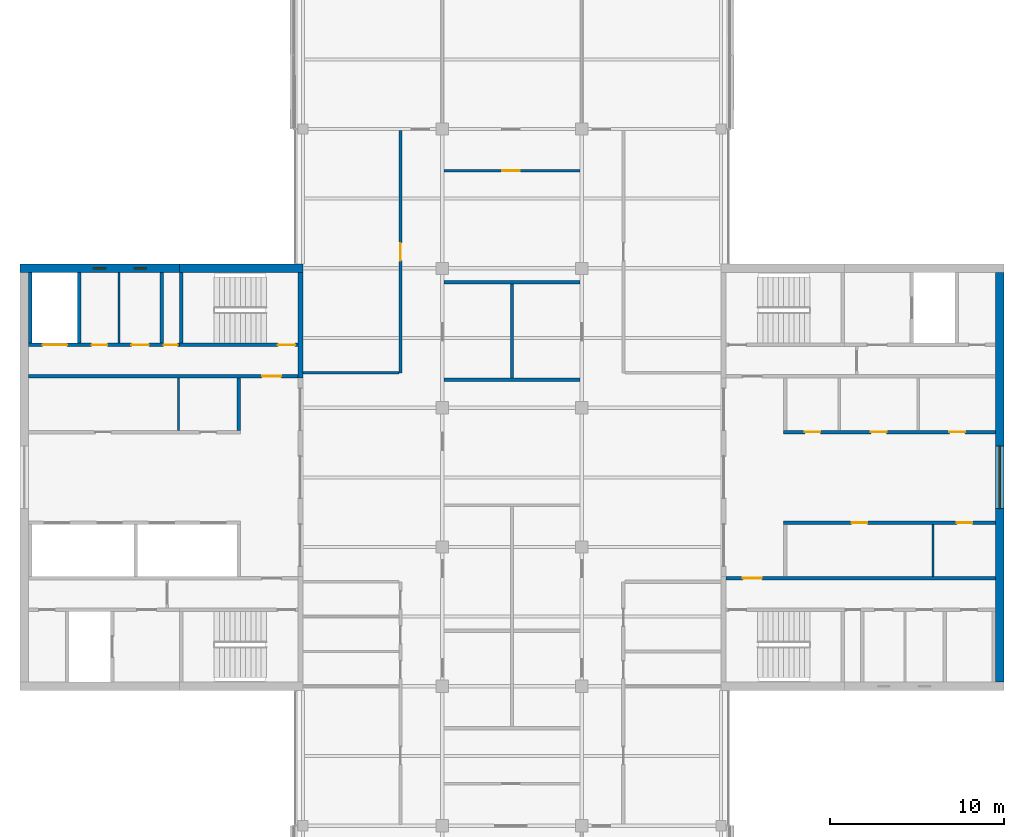
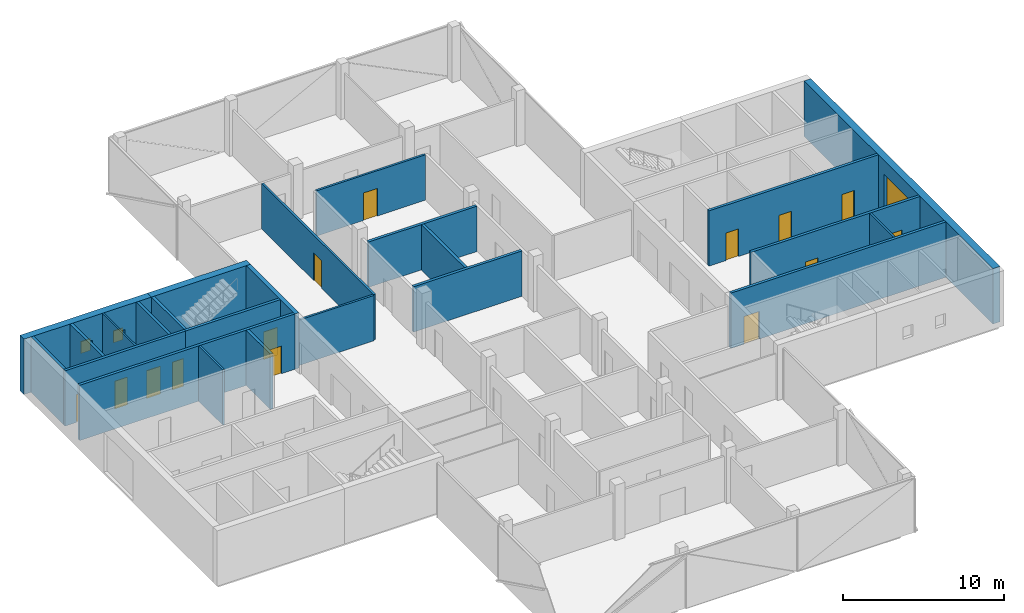
# One storey, part 11 of 16: 24 walls, 14 doors, 3 windows, 17 openings.
"""IFC4 building model written with IfcOpenShell, lengths in metres."""

import ifcopenshell
import ifcopenshell.guid

model = None  # the IFC model being written
_history = None  # IfcOwnerHistory: only IFC2X3 demands one
_inside = {}  # id of a spatial element -> (the spatial element, [elements in it])
_under = {}  # id of a project, library or spatial element -> (it, [spatial elements below it])
_declared = {}  # id of a project -> (the project, [libraries it declares])
_typed = {}  # id of a type object -> (the type object, [elements of that type])
_made_of = {}  # id of a material, layer set ... -> (it, [elements and type objects made of it])


def new_model(schema):
    """Start an empty IFC model of exactly this schema.

    Asked for "IFC4X3", IfcOpenShell would pick the latest addendum, in which some entities
    have other attributes; the version numbers below select the first issue.
    IFC2X3 requires an IfcOwnerHistory on every rooted entity: one is made here for all.
    """
    global model, _history
    if schema == "IFC4X3":
        model = ifcopenshell.file(schema_version=(4, 3, 0, 0))
    else:
        model = ifcopenshell.file(schema=schema)
    _inside.clear()
    _under.clear()
    _declared.clear()
    _typed.clear()
    _made_of.clear()
    _history = None
    if model.schema == "IFC2X3":
        org = make("IfcOrganization", Name="unknown")
        user = make(
            "IfcPersonAndOrganization",
            ThePerson=make("IfcPerson", FamilyName="unknown"),
            TheOrganization=org,
        )
        app = make(
            "IfcApplication",
            ApplicationDeveloper=org,
            Version="unknown",
            ApplicationFullName="unknown",
            ApplicationIdentifier="unknown",
        )
        _history = make(
            "IfcOwnerHistory",
            OwningUser=user,
            OwningApplication=app,
            ChangeAction="ADDED",
            CreationDate=0,
        )
    return model


def make(cls, **values):
    """One entity of the class cls with the attributes given. An attribute that is None is left unset."""
    return model.create_entity(
        cls, **{name: value for name, value in values.items() if value is not None}
    )


def rooted(cls, **values):
    """An entity with a GlobalId (a new one), such as an element, a storey or a relation."""
    return make(cls, GlobalId=ifcopenshell.guid.new(), OwnerHistory=_history, **values)


def si_unit(unit_type, name, prefix=None):
    """IfcSIUnit, for example si_unit("LENGTHUNIT", "METRE", prefix="MILLI")."""
    return make("IfcSIUnit", UnitType=unit_type, Prefix=prefix, Name=name)


def assignment(units):
    """IfcUnitAssignment: the units of a project."""
    return None if units is None else make("IfcUnitAssignment", Units=units)


def point(xyz):
    """IfcCartesianPoint."""
    return None if xyz is None else make("IfcCartesianPoint", Coordinates=xyz)


def direction(xyz):
    """IfcDirection."""
    return None if xyz is None else make("IfcDirection", DirectionRatios=xyz)


def frame(location, z_axis=None, x_axis=None):
    """IfcAxis2Placement3D, a coordinate frame: its origin and axes. An axis left out is left unset."""
    return make(
        "IfcAxis2Placement3D",
        Location=point(location),
        Axis=direction(z_axis),
        RefDirection=direction(x_axis),
    )


def frame_2d(location, x_axis=None):
    """IfcAxis2Placement2D, a coordinate frame in the plane: its origin and x axis."""
    return make(
        "IfcAxis2Placement2D", Location=point(location), RefDirection=direction(x_axis)
    )


def origin():
    """The frame at (0, 0, 0) with its axes left unset."""
    return frame((0.0, 0.0, 0.0))


def place(relative_to, where):
    """IfcLocalPlacement: puts the frame where relative to a parent placement (None: the world)."""
    return make(
        "IfcLocalPlacement", PlacementRelTo=relative_to, RelativePlacement=where
    )


def context(
    kind, dimensions, precision=None, world=None, true_north=None, identifier=None
):
    """IfcGeometricRepresentationContext, for example the 3D "Model" context."""
    return make(
        "IfcGeometricRepresentationContext",
        ContextIdentifier=identifier,
        ContextType=kind,
        CoordinateSpaceDimension=dimensions,
        Precision=precision,
        WorldCoordinateSystem=world,
        TrueNorth=true_north,
    )


def subcontext(parent, identifier, kind, view, scale=None):
    """IfcGeometricRepresentationSubContext, for example "Body" below "Model"."""
    return make(
        "IfcGeometricRepresentationSubContext",
        ContextIdentifier=identifier,
        ContextType=kind,
        ParentContext=parent,
        TargetScale=scale,
        TargetView=view,
    )


def project(units=None, contexts=None):
    """IfcProject with its units and contexts."""
    return rooted(
        "IfcProject",
        Name="project",
        RepresentationContexts=contexts,
        UnitsInContext=assignment(units),
    )


def spatial(cls, under=None, at=None, **own):
    """A site, building, storey or space (cls), placed at a placement, below another one or the project."""
    s = rooted(cls, ObjectPlacement=at, **own)
    if under is not None:
        _under.setdefault(under.id(), (under, []))[1].append(s)
    return s


def profile(cls, at=None, kind="AREA", **sizes):
    """A parametric profile (cls). Its sizes go by their IFC names, for example OverallWidth=200.0."""
    return make(cls, ProfileType=kind, Position=at, **sizes)


def rectangle(**sizes):
    """IfcRectangleProfileDef."""
    return profile("IfcRectangleProfileDef", **sizes)


def extrude(swept, where, along, depth):
    """IfcExtrudedAreaSolid: the profile swept, set in the frame where, extruded along a direction by depth."""
    return make(
        "IfcExtrudedAreaSolid",
        SweptArea=swept,
        Position=where,
        ExtrudedDirection=direction(along),
        Depth=depth,
    )


def shape(context_of_items, identifier, shape_type, items):
    """IfcShapeRepresentation: the items that make up one representation, for example the "Body"."""
    return make(
        "IfcShapeRepresentation",
        ContextOfItems=context_of_items,
        RepresentationIdentifier=identifier,
        RepresentationType=shape_type,
        Items=items,
    )


def material(Name=None, Category=None):
    """IfcMaterial."""
    return make("IfcMaterial", Name=Name, Category=Category)


def layer(
    of_material, thickness, ventilated=None, Name=None, Category=None, Priority=None
):
    """IfcMaterialLayer: one layer of a wall or slab, of a material (None: an air gap)."""
    return make(
        "IfcMaterialLayer",
        Material=of_material,
        LayerThickness=thickness,
        IsVentilated=ventilated,
        Name=Name,
        Category=Category,
        Priority=Priority,
    )


def layer_set(layers, Name=None):
    """IfcMaterialLayerSet."""
    return make("IfcMaterialLayerSet", MaterialLayers=layers, LayerSetName=Name)


def constituent(of_material, Name=None, Category=None, fraction=None):
    """IfcMaterialConstituent: one of the materials an element consists of."""
    return make(
        "IfcMaterialConstituent",
        Name=Name,
        Material=of_material,
        Fraction=fraction,
        Category=Category,
    )


def constituent_set(constituents=None, Name=None):
    """IfcMaterialConstituentSet."""
    return make(
        "IfcMaterialConstituentSet", Name=Name, MaterialConstituents=constituents
    )


def made_of(thing, what):
    """Note that an element or type object is made of a material, layer set ...; save() writes the relation."""
    if what is not None:
        _made_of.setdefault(what.id(), (what, []))[1].append(thing)
    return thing


def type_object(cls, material=None, **own):
    """A type object (cls), such as IfcWallType, which elements share."""
    return made_of(rooted(cls, **own), material)


def element(
    cls,
    number,
    at=None,
    inside=None,
    cuts=None,
    type_object=None,
    material=None,
    context=None,
    identifier="Body",
    shape_type=None,
    held_by="IfcProductDefinitionShape",
    body=None,
    shapes=None,
    **own,
):
    """One element of the class cls, such as IfcWall. Its Tag is "e" and its number.

    at: its placement. inside: the storey or other place that contains it. cuts: it is an
    opening in that element (IfcRelVoidsElement). A single representation is given by context,
    identifier, shape_type and body (its items); several are given by shapes. held_by: the class
    of the entity that holds the representations. save() writes the other relations.
    """
    e = rooted(cls, Tag="e%d" % number, ObjectPlacement=at, **own)
    if body is not None:
        shapes = [shape(context, identifier, shape_type, body)]
    if shapes is not None:
        e.Representation = make(held_by, Representations=shapes)
    if inside is not None:
        _inside.setdefault(inside.id(), (inside, []))[1].append(e)
    if cuts is not None:
        rooted(
            "IfcRelVoidsElement", RelatingBuildingElement=cuts, RelatedOpeningElement=e
        )
    if type_object is not None:
        _typed.setdefault(type_object.id(), (type_object, []))[1].append(e)
    return made_of(e, material)


def fill(opening, filler):
    """IfcRelFillsElement: the door or window that sits in an opening."""
    return rooted(
        "IfcRelFillsElement",
        RelatingOpeningElement=opening,
        RelatedBuildingElement=filler,
    )


def aggregate(whole, parts):
    """IfcRelAggregates: a whole, such as a stair, and the parts it consists of."""
    return rooted("IfcRelAggregates", RelatingObject=whole, RelatedObjects=parts)


def save(model, path):
    """Write the relations noted so far, then the file.

    IfcRelAggregates (storeys below a building ...), IfcRelContainedInSpatialStructure (elements
    in a storey), IfcRelDefinesByType, IfcRelAssociatesMaterial and IfcRelDeclares: one each for
    every whole, place, type object, material and project.
    """
    for whole, parts in _under.values():
        aggregate(whole, parts)
    for where, things in _inside.values():
        rooted(
            "IfcRelContainedInSpatialStructure",
            RelatedElements=things,
            RelatingStructure=where,
        )
    for kind, things in _typed.values():
        rooted("IfcRelDefinesByType", RelatedObjects=things, RelatingType=kind)
    for what, things in _made_of.values():
        rooted("IfcRelAssociatesMaterial", RelatedObjects=things, RelatingMaterial=what)
    for by, libraries in _declared.values():
        rooted("IfcRelDeclares", RelatingContext=by, RelatedDefinitions=libraries)
    model.write(path)


model = new_model("IFC4")

# Units and contexts
model_context = context("Model", 3, precision=1e-05, world=origin(), true_north=direction((0.0, 1.0)))
body_context = subcontext(model_context, "Body", "Model", "MODEL_VIEW")
ifc_project = project(units=[si_unit("LENGTHUNIT", "METRE"), si_unit("AREAUNIT", "SQUARE_METRE"), si_unit("VOLUMEUNIT", "CUBIC_METRE"), si_unit("PLANEANGLEUNIT", "RADIAN"), si_unit("MASSUNIT", "GRAM", prefix="KILO")], contexts=[model_context])

# Site, building, storey
site_placement = place(None, origin())
site = spatial("IfcSite", under=ifc_project, at=site_placement, CompositionType="ELEMENT")
building_placement = place(site_placement, origin())
building = spatial("IfcBuilding", under=site, at=building_placement, Name="Crosswind Convention Tower", CompositionType="ELEMENT")
storey_placement = place(building_placement, frame((0.0, 0.0, 282.89990234375)))
storey = spatial("IfcBuildingStorey", under=building, at=storey_placement, Name="L61", CompositionType="ELEMENT", Elevation=282.89990234375)

# Walls
ifc_material_1 = material(Name="Concrete blockwork", Category="masonry")
ifc_layer_1 = layer(ifc_material_1, 0.199951171875)
ifc_layer_set_1 = layer_set([ifc_layer_1], Name="Blockwork partition wall 200")
wall_type_1 = type_object("IfcWallType", Name="Blockwork partition wall 200", PredefinedType="PARTITIONING", material=ifc_layer_set_1)
wall_1_placement = place(storey_placement, frame((104.89990234375, 111.75, 0.0), z_axis=(0.0, 0.0, 1.0), x_axis=(0.0, -1.0, 0.0)))
element("IfcWall", 1, at=wall_1_placement, inside=storey, type_object=wall_type_1, Name="Wall MRSE W L61", PredefinedType="PARTITIONING", context=body_context, shape_type="SweptSolid", body=[
    extrude(rectangle(XDim=4.050048828125, YDim=0.199951171875, at=frame_2d((2.02490234375, 0.0))), origin(), (0.0, 0.0, 1.0), 4.2001953125),
])
ifc_layer_2 = layer(ifc_material_1, 0.199951171875)
ifc_layer_set_2 = layer_set([ifc_layer_2], Name="COMPARTMENT WALL 200 BLOCKWORK")
wall_type_2 = type_object("IfcWallType", Name="COMPARTMENT WALL 200 BLOCKWORK", PredefinedType="SOLIDWALL", material=ifc_layer_set_2)
wall_2_placement = place(storey_placement, frame((125.0, 105.699951171875, 0.0), z_axis=(0.0, 0.0, 1.0), x_axis=(0.0, 1.0, 0.0)))
element("IfcWall", 2, at=wall_2_placement, inside=storey, type_object=wall_type_2, Name="Compartment wall WT42", PredefinedType="SOLIDWALL", context=body_context, shape_type="SweptSolid", body=[
    extrude(rectangle(XDim=5.400146484375, YDim=0.199951171875, at=frame_2d((2.7001953125, 0.0))), origin(), (0.0, 0.0, 1.0), 3.44287109375),
])
for number, where, z_axis, x_axis, name in (
    (3, (121.10009765625, 105.60009765625, 0.0), (0.0, 0.0, 1.0), (1.0, 0.0, 0.0), "Compartment wall WT42"),
    (4, (121.10009765625, 111.199951171875, 0.0), (0.0, 0.0, 1.0), (1.0, 0.0, 0.0), "Compartment wall WT42"),
):
    element("IfcWall", number, at=place(storey_placement, frame(where, z_axis=z_axis, x_axis=x_axis)), inside=storey, type_object=wall_type_2, Name=name, PredefinedType="SOLIDWALL", context=body_context, shape_type="SweptSolid", body=[
        extrude(rectangle(XDim=7.7998046875, YDim=0.199951171875, at=frame_2d((3.89990234375, 0.0))), origin(), (0.0, 0.0, 1.0), 3.44287109375),
    ])
ifc_material_2 = material(Name="Concrete C50/60", Category="concrete")
ifc_layer_3 = layer(ifc_material_2, 0.300048828125)
ifc_layer_set_3 = layer_set([ifc_layer_3], Name="Concrete C50/60")
wall_type_3 = type_object("IfcWallType", Name="Concrete inner core wall 300", PredefinedType="SHEAR", material=ifc_layer_set_3)
wall_3_placement = place(storey_placement, frame((112.85009765625, 111.75, 0.0), z_axis=(0.0, 0.0, 1.0), x_axis=(0.0, -1.0, 0.0)))
element("IfcWall", 5, at=wall_3_placement, inside=storey, type_object=wall_type_3, Name="Wall EM W L61", PredefinedType="SHEAR", context=body_context, shape_type="SweptSolid", body=[
    extrude(rectangle(XDim=6.050048828125, YDim=0.300048828125, at=frame_2d((3.02490234375, 0.0))), origin(), (0.0, 0.0, 1.0), 4.2001953125),
])

# Wall, openings, doors
ifc_layer_4 = layer(ifc_material_2, 0.199951171875)
ifc_layer_set_4 = layer_set([ifc_layer_4], Name="Concrete C50/60")
wall_type_4 = type_object("IfcWallType", Name="Concrete shaft and stair wall 200", PredefinedType="SHEAR", material=ifc_layer_set_4)
wall_4_placement = place(storey_placement, frame((140.60009765625, 102.60009765625, 0.0), z_axis=(0.0, 0.0, 1.0), x_axis=(1.0, 0.0, 0.0)))
wall_4 = element("IfcWall", 6, at=wall_4_placement, inside=storey, type_object=wall_type_4, Name="Wall RPFRONT E L61", PredefinedType="SHEAR", context=body_context, shape_type="SweptSolid", body=[
    extrude(rectangle(XDim=12.14990234375, YDim=0.199951171875, at=frame_2d((6.074951171875, 0.0))), origin(), (0.0, 0.0, 1.0), 4.2001953125),
])
opening_1_placement = place(wall_4_placement, frame((1.21240234375, 0.0, 0.0)))
opening_1 = element("IfcOpeningElement", 7, at=opening_1_placement, cuts=wall_4, Name="Opening D106", PredefinedType="OPENING", context=body_context, shape_type="SweptSolid", body=[
    extrude(rectangle(XDim=0.89990234375, YDim=2.10009765625, at=frame_2d((0.449951171875, 1.050048828125))), frame((0.0, 0.10986328125, 0.0), z_axis=(0.0, -1.0, 0.0), x_axis=(1.0, 0.0, 0.0)), (0.0, 0.0, 1.0), 0.219970703125),
])
opening_2_placement = place(wall_4_placement, frame((5.008056640625, 0.0, 0.0)))
opening_2 = element("IfcOpeningElement", 8, at=opening_2_placement, cuts=wall_4, Name="Opening D106", PredefinedType="OPENING", context=body_context, shape_type="SweptSolid", body=[
    extrude(rectangle(XDim=0.89990234375, YDim=2.10009765625, at=frame_2d((0.449951171875, 1.050048828125))), frame((0.0, 0.10986328125, 0.0), z_axis=(0.0, -1.0, 0.0), x_axis=(1.0, 0.0, 0.0)), (0.0, 0.0, 1.0), 0.219970703125),
])
opening_3_placement = place(wall_4_placement, frame((9.5205078125, 0.0, 0.0)))
opening_3 = element("IfcOpeningElement", 9, at=opening_3_placement, cuts=wall_4, Name="Opening D106", PredefinedType="OPENING", context=body_context, shape_type="SweptSolid", body=[
    extrude(rectangle(XDim=0.89990234375, YDim=2.10009765625, at=frame_2d((0.449951171875, 1.050048828125))), frame((0.0, 0.10986328125, 0.0), z_axis=(0.0, -1.0, 0.0), x_axis=(1.0, 0.0, 0.0)), (0.0, 0.0, 1.0), 0.219970703125),
])
ifc_material_3 = material(Name="Timber door", Category="wood")
door_type_1 = type_object("IfcDoorType", Name="Single leaf door 900x2100", OperationType="NOTDEFINED", PredefinedType="DOOR", material=ifc_material_3)
door_1_placement = place(opening_1_placement, origin())
door_1 = element("IfcDoor", 10, at=door_1_placement, inside=storey, type_object=door_type_1, Name="Door to meeting room L61", ObjectType="D106", OperationType="SINGLE_SWING_RIGHT", OverallHeight=2.10009765625, OverallWidth=0.89990234375, PredefinedType="DOOR", context=body_context, shape_type="SweptSolid", body=[
    extrude(rectangle(XDim=0.89990234375, YDim=2.10009765625, at=frame_2d((0.449951171875, 1.050048828125))), frame((0.0, 0.02490234375, 0.0), z_axis=(0.0, -1.0, 0.0), x_axis=(1.0, 0.0, 0.0)), (0.0, 0.0, 1.0), 0.050048828125),
])
fill(opening_1, door_1)
door_2_placement = place(opening_2_placement, origin())
door_2 = element("IfcDoor", 11, at=door_2_placement, inside=storey, type_object=door_type_1, Name="Door to pantry L61", ObjectType="D106", OperationType="SINGLE_SWING_RIGHT", OverallHeight=2.10009765625, OverallWidth=0.89990234375, PredefinedType="DOOR", context=body_context, shape_type="SweptSolid", body=[
    extrude(rectangle(XDim=0.89990234375, YDim=2.10009765625, at=frame_2d((0.449951171875, 1.050048828125))), frame((0.0, 0.02490234375, 0.0), z_axis=(0.0, -1.0, 0.0), x_axis=(1.0, 0.0, 0.0)), (0.0, 0.0, 1.0), 0.050048828125),
])
fill(opening_2, door_2)
door_3_placement = place(opening_3_placement, origin())
door_3 = element("IfcDoor", 12, at=door_3_placement, inside=storey, type_object=door_type_1, Name="Door to telecoms room L61", ObjectType="D106", OperationType="SINGLE_SWING_RIGHT", OverallHeight=2.10009765625, OverallWidth=0.89990234375, PredefinedType="DOOR", context=body_context, shape_type="SweptSolid", body=[
    extrude(rectangle(XDim=0.89990234375, YDim=2.10009765625, at=frame_2d((0.449951171875, 1.050048828125))), frame((0.0, 0.02490234375, 0.0), z_axis=(0.0, -1.0, 0.0), x_axis=(1.0, 0.0, 0.0)), (0.0, 0.0, 1.0), 0.050048828125),
])
fill(opening_3, door_3)

wall_5_placement = place(storey_placement, frame((140.60009765625, 97.39990234375, 0.0), z_axis=(0.0, 0.0, 1.0), x_axis=(1.0, 0.0, 0.0)))
wall_5 = element("IfcWall", 13, at=wall_5_placement, inside=storey, type_object=wall_type_4, Name="Wall RMFRONT E L61", PredefinedType="SHEAR", context=body_context, shape_type="SweptSolid", body=[
    extrude(rectangle(XDim=12.14990234375, YDim=0.199951171875, at=frame_2d((6.074951171875, 0.0))), origin(), (0.0, 0.0, 1.0), 4.2001953125),
])
opening_4_placement = place(wall_5_placement, frame((3.9013671875, 0.0, 0.0)))
opening_4 = element("IfcOpeningElement", 14, at=opening_4_placement, cuts=wall_5, Name="Opening D106", PredefinedType="OPENING", context=body_context, shape_type="SweptSolid", body=[
    extrude(rectangle(XDim=0.89990234375, YDim=2.10009765625, at=frame_2d((0.449951171875, 1.050048828125))), frame((0.0, 0.10986328125, 0.0), z_axis=(0.0, -1.0, 0.0), x_axis=(1.0, 0.0, 0.0)), (0.0, 0.0, 1.0), 0.219970703125),
])
opening_5_placement = place(wall_5_placement, frame((9.938720703125, 0.0, 0.0)))
opening_5 = element("IfcOpeningElement", 15, at=opening_5_placement, cuts=wall_5, Name="Opening D106", PredefinedType="OPENING", context=body_context, shape_type="SweptSolid", body=[
    extrude(rectangle(XDim=0.89990234375, YDim=2.10009765625, at=frame_2d((0.449951171875, 1.050048828125))), frame((0.0, 0.10986328125, 0.0), z_axis=(0.0, -1.0, 0.0), x_axis=(1.0, 0.0, 0.0)), (0.0, 0.0, 1.0), 0.219970703125),
])
door_4_placement = place(opening_4_placement, frame((0.89990234375, 0.0, 0.0), z_axis=(0.0, 0.0, 1.0), x_axis=(-1.0, 0.0, 0.0)))
door_4 = element("IfcDoor", 16, at=door_4_placement, inside=storey, type_object=door_type_1, Name="Door to pantry L61", ObjectType="D106", OperationType="SINGLE_SWING_LEFT", OverallHeight=2.10009765625, OverallWidth=0.89990234375, PredefinedType="DOOR", context=body_context, shape_type="SweptSolid", body=[
    extrude(rectangle(XDim=0.89990234375, YDim=2.10009765625, at=frame_2d((0.449951171875, 1.050048828125))), frame((0.0, 0.02490234375, 0.0), z_axis=(0.0, -1.0, 0.0), x_axis=(1.0, 0.0, 0.0)), (0.0, 0.0, 1.0), 0.050048828125),
])
fill(opening_4, door_4)
door_5_placement = place(opening_5_placement, frame((0.89990234375, 0.0, 0.0), z_axis=(0.0, 0.0, 1.0), x_axis=(-1.0, 0.0, 0.0)))
door_5 = element("IfcDoor", 17, at=door_5_placement, inside=storey, type_object=door_type_1, Name="Door to telecoms room L61", ObjectType="D106", OperationType="SINGLE_SWING_LEFT", OverallHeight=2.10009765625, OverallWidth=0.89990234375, PredefinedType="DOOR", context=body_context, shape_type="SweptSolid", body=[
    extrude(rectangle(XDim=0.89990234375, YDim=2.10009765625, at=frame_2d((0.449951171875, 1.050048828125))), frame((0.0, 0.02490234375, 0.0), z_axis=(0.0, -1.0, 0.0), x_axis=(1.0, 0.0, 0.0)), (0.0, 0.0, 1.0), 0.050048828125),
])
fill(opening_5, door_5)

# Wall, opening, door
wall_6_placement = place(storey_placement, frame((137.300048828125, 94.199951171875, 0.0), z_axis=(0.0, 0.0, 1.0), x_axis=(1.0, 0.0, 0.0)))
wall_6 = element("IfcWall", 18, at=wall_6_placement, inside=storey, type_object=wall_type_4, Name="Wall HM E L61", PredefinedType="SHEAR", context=body_context, shape_type="SweptSolid", body=[
    extrude(rectangle(XDim=15.449951171875, YDim=0.199951171875, at=frame_2d((7.72509765625, 0.0))), origin(), (0.0, 0.0, 1.0), 4.2001953125),
])
opening_6_placement = place(wall_6_placement, frame((0.949951171875, 0.0, 0.0)))
opening_6 = element("IfcOpeningElement", 19, at=opening_6_placement, cuts=wall_6, Name="Opening D104", PredefinedType="OPENING", context=body_context, shape_type="SweptSolid", body=[
    extrude(rectangle(XDim=1.10009765625, YDim=2.10009765625, at=frame_2d((0.550048828125, 1.050048828125))), frame((0.0, 0.10986328125, 0.0), z_axis=(0.0, -1.0, 0.0), x_axis=(1.0, 0.0, 0.0)), (0.0, 0.0, 1.0), 0.219970703125),
])
ifc_material_4 = material(Name="Steel fire door", Category="steel")
door_type_2 = type_object("IfcDoorType", Name="Fire-rated single door 1100x2100", OperationType="NOTDEFINED", PredefinedType="DOOR", material=ifc_material_4)
door_6_placement = place(opening_6_placement, origin())
door_6 = element("IfcDoor", 20, at=door_6_placement, inside=storey, type_object=door_type_2, Name="Corridor door L61", ObjectType="D104", OperationType="SINGLE_SWING_LEFT", OverallHeight=2.10009765625, OverallWidth=1.10009765625, PredefinedType="DOOR", context=body_context, shape_type="SweptSolid", body=[
    extrude(rectangle(XDim=1.10009765625, YDim=2.10009765625, at=frame_2d((0.550048828125, 1.050048828125))), frame((0.0, 0.02490234375, 0.0), z_axis=(0.0, -1.0, 0.0), x_axis=(1.0, 0.0, 0.0)), (0.0, 0.0, 1.0), 0.050048828125),
])
fill(opening_6, door_6)

# Wall
wall_7_placement = place(storey_placement, frame((109.300048828125, 105.699951171875, 0.0), z_axis=(0.0, 0.0, 1.0), x_axis=(0.0, -1.0, 0.0)))
element("IfcWall", 21, at=wall_7_placement, inside=storey, type_object=wall_type_4, Name="Wall RMEND W L61", PredefinedType="SHEAR", context=body_context, shape_type="SweptSolid", body=[
    extrude(rectangle(XDim=3.0, YDim=0.199951171875, at=frame_2d((1.5, 0.0))), origin(), (0.0, 0.0, 1.0), 4.2001953125),
])

# Wall, opening, door
wall_8_placement = place(storey_placement, frame((112.699951171875, 105.800048828125, 0.0), z_axis=(0.0, 0.0, 1.0), x_axis=(-1.0, 0.0, 0.0)))
wall_8 = element("IfcWall", 22, at=wall_8_placement, inside=storey, type_object=wall_type_4, Name="Wall HM W L61", PredefinedType="SHEAR", context=body_context, shape_type="SweptSolid", body=[
    extrude(rectangle(XDim=15.449951171875, YDim=0.199951171875, at=frame_2d((7.72509765625, 0.0))), origin(), (0.0, 0.0, 1.0), 4.2001953125),
])
opening_7_placement = place(wall_8_placement, frame((0.949951171875, 0.0, 0.0)))
opening_7 = element("IfcOpeningElement", 23, at=opening_7_placement, cuts=wall_8, Name="Opening D104", PredefinedType="OPENING", context=body_context, shape_type="SweptSolid", body=[
    extrude(rectangle(XDim=1.10009765625, YDim=2.10009765625, at=frame_2d((0.550048828125, 1.050048828125))), frame((0.0, 0.10986328125, 0.0), z_axis=(0.0, -1.0, 0.0), x_axis=(1.0, 0.0, 0.0)), (0.0, 0.0, 1.0), 0.219970703125),
])
door_7_placement = place(opening_7_placement, origin())
door_7 = element("IfcDoor", 24, at=door_7_placement, inside=storey, type_object=door_type_2, Name="Corridor door L61", ObjectType="D104", OperationType="SINGLE_SWING_LEFT", OverallHeight=2.10009765625, OverallWidth=1.10009765625, PredefinedType="DOOR", context=body_context, shape_type="SweptSolid", body=[
    extrude(rectangle(XDim=1.10009765625, YDim=2.10009765625, at=frame_2d((0.550048828125, 1.050048828125))), frame((0.0, 0.02490234375, 0.0), z_axis=(0.0, -1.0, 0.0), x_axis=(1.0, 0.0, 0.0)), (0.0, 0.0, 1.0), 0.050048828125),
])
fill(opening_7, door_7)

# Walls
for number, where, z_axis, x_axis, name in (
    (25, (106.0, 111.75, 0.0), (0.0, 0.0, 1.0), (0.0, -1.0, 0.0), "Wall MSE W L61"),
    (26, (100.14990234375, 111.75, 0.0), (0.0, 0.0, 1.0), (0.0, -1.0, 0.0), "Wall MFSW W L61"),
    (27, (97.35009765625, 111.75, 0.0), (0.0, 0.0, 1.0), (0.0, -1.0, 0.0), "Wall MFSE W L61"),
):
    element("IfcWall", number, at=place(storey_placement, frame(where, z_axis=z_axis, x_axis=x_axis)), inside=storey, type_object=wall_type_4, Name=name, PredefinedType="SHEAR", context=body_context, shape_type="SweptSolid", body=[
        extrude(rectangle(XDim=4.050048828125, YDim=0.199951171875, at=frame_2d((2.02490234375, 0.0))), origin(), (0.0, 0.0, 1.0), 4.2001953125),
    ])

# Wall, opening, door
wall_9_placement = place(storey_placement, frame((112.699951171875, 107.60009765625, 0.0), z_axis=(0.0, 0.0, 1.0), x_axis=(-1.0, 0.0, 0.0)))
wall_9 = element("IfcWall", 28, at=wall_9_placement, inside=storey, type_object=wall_type_4, Name="Wall MCW W L61", PredefinedType="SHEAR", context=body_context, shape_type="SweptSolid", body=[
    extrude(rectangle(XDim=6.800048828125, YDim=0.199951171875, at=frame_2d((3.39990234375, 0.0))), origin(), (0.0, 0.0, 1.0), 4.2001953125),
])
opening_8_placement = place(wall_9_placement, frame((0.14990234375, 0.0, 0.0)))
opening_8 = element("IfcOpeningElement", 29, at=opening_8_placement, cuts=wall_9, Name="Opening D103", PredefinedType="OPENING", context=body_context, shape_type="SweptSolid", body=[
    extrude(rectangle(XDim=1.0, YDim=2.10009765625, at=frame_2d((0.5, 1.050048828125))), frame((0.0, 0.10986328125, 0.0), z_axis=(0.0, -1.0, 0.0), x_axis=(1.0, 0.0, 0.0)), (0.0, 0.0, 1.0), 0.219970703125),
])
door_type_3 = type_object("IfcDoorType", Name="Fire-rated single door 1000x2100", OperationType="NOTDEFINED", PredefinedType="DOOR", material=ifc_material_4)
door_8_placement = place(opening_8_placement, frame((1.0, 0.0, 0.0), z_axis=(0.0, 0.0, 1.0), x_axis=(-1.0, 0.0, 0.0)))
door_8 = element("IfcDoor", 30, at=door_8_placement, inside=storey, type_object=door_type_3, Name="Stair ST4 door L61", ObjectType="D103", OperationType="SINGLE_SWING_RIGHT", OverallHeight=2.10009765625, OverallWidth=1.0, PredefinedType="DOOR", context=body_context, shape_type="SweptSolid", body=[
    extrude(rectangle(XDim=1.0, YDim=2.10009765625, at=frame_2d((0.5, 1.050048828125))), frame((0.0, 0.02490234375, 0.0), z_axis=(0.0, -1.0, 0.0), x_axis=(1.0, 0.0, 0.0)), (0.0, 0.0, 1.0), 0.050048828125),
])
fill(opening_8, door_8)

# Wall, openings, doors
wall_10_placement = place(storey_placement, frame((105.89990234375, 107.60009765625, 0.0), z_axis=(0.0, 0.0, 1.0), x_axis=(-1.0, 0.0, 0.0)))
wall_10 = element("IfcWall", 31, at=wall_10_placement, inside=storey, type_object=wall_type_4, Name="Wall MCX W L61", PredefinedType="SHEAR", context=body_context, shape_type="SweptSolid", body=[
    extrude(rectangle(XDim=8.64990234375, YDim=0.199951171875, at=frame_2d((4.324951171875, 0.0))), origin(), (0.0, 0.0, 1.0), 4.2001953125),
])
opening_9_placement = place(wall_10_placement, frame((0.10009765625, 0.0, 0.0)))
opening_9 = element("IfcOpeningElement", 32, at=opening_9_placement, cuts=wall_10, Name="Opening D105", PredefinedType="OPENING", context=body_context, shape_type="SweptSolid", body=[
    extrude(rectangle(XDim=0.800048828125, YDim=2.10009765625, at=frame_2d((0.39990234375, 1.050048828125))), frame((0.0, 0.10986328125, 0.0), z_axis=(0.0, -1.0, 0.0), x_axis=(1.0, 0.0, 0.0)), (0.0, 0.0, 1.0), 0.219970703125),
])
opening_10_placement = place(wall_10_placement, frame((1.751708984375, 0.0, 0.0)))
opening_10 = element("IfcOpeningElement", 33, at=opening_10_placement, cuts=wall_10, Name="Opening D103", PredefinedType="OPENING", context=body_context, shape_type="SweptSolid", body=[
    extrude(rectangle(XDim=1.0, YDim=2.10009765625, at=frame_2d((0.5, 1.050048828125))), frame((0.0, 0.10986328125, 0.0), z_axis=(0.0, -1.0, 0.0), x_axis=(1.0, 0.0, 0.0)), (0.0, 0.0, 1.0), 0.219970703125),
])
opening_11_placement = place(wall_10_placement, frame((4.13916015625, 0.0, 0.0)))
opening_11 = element("IfcOpeningElement", 34, at=opening_11_placement, cuts=wall_10, Name="Opening D106", PredefinedType="OPENING", context=body_context, shape_type="SweptSolid", body=[
    extrude(rectangle(XDim=0.89990234375, YDim=2.10009765625, at=frame_2d((0.449951171875, 1.050048828125))), frame((0.0, 0.10986328125, 0.0), z_axis=(0.0, -1.0, 0.0), x_axis=(1.0, 0.0, 0.0)), (0.0, 0.0, 1.0), 0.219970703125),
])
opening_12_placement = place(wall_10_placement, frame((6.449951171875, 0.0, 0.0)))
opening_12 = element("IfcOpeningElement", 35, at=opening_12_placement, cuts=wall_10, Name="Opening LD2", PredefinedType="OPENING", context=body_context, shape_type="SweptSolid", body=[
    extrude(rectangle(XDim=1.39990234375, YDim=2.10009765625, at=frame_2d((0.699951171875, 1.050048828125))), frame((0.0, 0.10986328125, 0.0), z_axis=(0.0, -1.0, 0.0), x_axis=(1.0, 0.0, 0.0)), (0.0, 0.0, 1.0), 0.219970703125),
])
door_9_placement = place(opening_10_placement, frame((1.0, 0.0, 0.0), z_axis=(0.0, 0.0, 1.0), x_axis=(-1.0, 0.0, 0.0)))
door_9 = element("IfcDoor", 36, at=door_9_placement, inside=storey, type_object=door_type_3, Name="Door to accessible wc L61", ObjectType="D103", OperationType="SINGLE_SWING_LEFT", OverallHeight=2.10009765625, OverallWidth=1.0, PredefinedType="DOOR", context=body_context, shape_type="SweptSolid", body=[
    extrude(rectangle(XDim=1.0, YDim=2.10009765625, at=frame_2d((0.5, 1.050048828125))), frame((0.0, 0.02490234375, 0.0), z_axis=(0.0, -1.0, 0.0), x_axis=(1.0, 0.0, 0.0)), (0.0, 0.0, 1.0), 0.050048828125),
])
fill(opening_10, door_9)
ifc_material_5 = material(Name="Stainless steel", Category="steel")
door_type_4 = type_object("IfcDoorType", Name="Lift landing door 1400x2100", OperationType="DOUBLE_DOOR_SLIDING", PredefinedType="DOOR", material=ifc_material_5)
door_10_placement = place(opening_12_placement, origin())
door_10 = element("IfcDoor", 37, at=door_10_placement, inside=storey, type_object=door_type_4, Name="Landing door SV2 L61", ObjectType="LD2", OperationType="DOUBLE_DOOR_SLIDING", OverallHeight=2.10009765625, OverallWidth=1.39990234375, PredefinedType="DOOR", context=body_context, shape_type="SweptSolid", body=[
    extrude(rectangle(XDim=1.39990234375, YDim=2.10009765625, at=frame_2d((0.699951171875, 1.050048828125))), frame((0.0, 0.02490234375, 0.0), z_axis=(0.0, -1.0, 0.0), x_axis=(1.0, 0.0, 0.0)), (0.0, 0.0, 1.0), 0.050048828125),
])
fill(opening_12, door_10)
door_type_5 = type_object("IfcDoorType", Name="Riser access door 800x2100", OperationType="NOTDEFINED", PredefinedType="DOOR", material=ifc_material_4)
door_11_placement = place(opening_9_placement, frame((0.800048828125, 0.0, 0.0), z_axis=(0.0, 0.0, 1.0), x_axis=(-1.0, 0.0, 0.0)))
door_11 = element("IfcDoor", 38, at=door_11_placement, inside=storey, type_object=door_type_5, Name="Riser door L61", ObjectType="D105", OperationType="SINGLE_SWING_LEFT", OverallHeight=2.10009765625, OverallWidth=0.800048828125, PredefinedType="DOOR", context=body_context, shape_type="SweptSolid", body=[
    extrude(rectangle(XDim=0.800048828125, YDim=2.10009765625, at=frame_2d((0.39990234375, 1.050048828125))), frame((0.0, 0.02490234375, 0.0), z_axis=(0.0, -1.0, 0.0), x_axis=(1.0, 0.0, 0.0)), (0.0, 0.0, 1.0), 0.050048828125),
])
fill(opening_9, door_11)
door_12_placement = place(opening_11_placement, frame((0.89990234375, 0.0, 0.0), z_axis=(0.0, 0.0, 1.0), x_axis=(-1.0, 0.0, 0.0)))
door_12 = element("IfcDoor", 39, at=door_12_placement, inside=storey, type_object=door_type_1, Name="Door to wc L61", ObjectType="D106", OperationType="SINGLE_SWING_LEFT", OverallHeight=2.10009765625, OverallWidth=0.89990234375, PredefinedType="DOOR", context=body_context, shape_type="SweptSolid", body=[
    extrude(rectangle(XDim=0.89990234375, YDim=2.10009765625, at=frame_2d((0.449951171875, 1.050048828125))), frame((0.0, 0.02490234375, 0.0), z_axis=(0.0, -1.0, 0.0), x_axis=(1.0, 0.0, 0.0)), (0.0, 0.0, 1.0), 0.050048828125),
])
fill(opening_11, door_12)

# Walls
ifc_material_6 = material(Name="Gypsum plasterboard partition", Category="gypsum")
ifc_layer_5 = layer(ifc_material_6, 0.125)
ifc_layer_set_5 = layer_set([ifc_layer_5], Name="Drywall partition wall 125")
wall_type_5 = type_object("IfcWallType", Name="Drywall partition wall 125", PredefinedType="PARTITIONING", material=ifc_layer_set_5)
for number, where, z_axis, x_axis, name in (
    (40, (149.1650390625, 94.300048828125, 0.0), (0.0, 0.0, 1.0), (0.0, 1.0, 0.0), "Wall RMP1 E L61"),
    (41, (105.85400390625, 105.699951171875, 0.0), (0.0, 0.0, 1.0), (0.0, -1.0, 0.0), "Wall RMP1 W L61"),
):
    element("IfcWall", number, at=place(storey_placement, frame(where, z_axis=z_axis, x_axis=x_axis)), inside=storey, type_object=wall_type_5, Name=name, PredefinedType="PARTITIONING", context=body_context, shape_type="SweptSolid", body=[
        extrude(rectangle(XDim=3.0, YDim=0.125, at=frame_2d((1.5, 0.0))), origin(), (0.0, 0.0, 1.0), 4.2001953125),
    ])
wall_11_placement = place(storey_placement, frame((102.43408203125, 111.75, 0.0), z_axis=(0.0, 0.0, 1.0), x_axis=(0.0, -1.0, 0.0)))
element("IfcWall", 42, at=wall_11_placement, inside=storey, type_object=wall_type_5, Name="Wall MWP1 W L61", PredefinedType="PARTITIONING", context=body_context, shape_type="SweptSolid", body=[
    extrude(rectangle(XDim=4.050048828125, YDim=0.125, at=frame_2d((2.02490234375, 0.0))), origin(), (0.0, 0.0, 1.0), 4.2001953125),
])

# Wall, opening, door
ifc_material_7 = material(Name="Fire-board partition with mineral wool", Category="gypsum")
ifc_layer_6 = layer(ifc_material_7, 0.14990234375)
ifc_layer_set_6 = layer_set([ifc_layer_6], Name="TENANCY WALL 150 TWO-HOUR BOARD")
wall_type_6 = type_object("IfcWallType", Name="TENANCY WALL 150 TWO-HOUR BOARD", PredefinedType="PARTITIONING", material=ifc_layer_set_6)
wall_12_placement = place(storey_placement, frame((118.60009765625, 106.0, 0.0), z_axis=(0.0, 0.0, 1.0), x_axis=(0.0, 1.0, 0.0)))
wall_12 = element("IfcWall", 43, at=wall_12_placement, inside=storey, type_object=wall_type_6, Name="Tenancy wall WT41", PredefinedType="PARTITIONING", context=body_context, shape_type="SweptSolid", body=[
    extrude(rectangle(XDim=13.925048828125, YDim=0.14990234375, at=frame_2d((6.96240234375, 0.0))), origin(), (0.0, 0.0, 1.0), 3.44287109375),
])
opening_13_placement = place(wall_12_placement, frame((6.449951171875, 0.0, 0.0)))
opening_13 = element("IfcOpeningElement", 44, at=opening_13_placement, cuts=wall_12, Name="Opening L61-54", PredefinedType="OPENING", context=body_context, shape_type="SweptSolid", body=[
    extrude(rectangle(XDim=1.0, YDim=2.10009765625, at=frame_2d((0.5, 1.050048828125))), frame((0.0, 0.0849609375, 0.0), z_axis=(0.0, -1.0, 0.0), x_axis=(1.0, 0.0, 0.0)), (0.0, 0.0, 1.0), 0.169921875),
])
ifc_material_8 = material(Name="Timber fire door", Category="wood")
door_type_6 = type_object("IfcDoorType", Name="TENANCY ENTRANCE DOOR 1000X2100 FD30S", OperationType="NOTDEFINED", PredefinedType="DOOR", material=ifc_material_8)
door_13_placement = place(opening_13_placement, origin())
door_13 = element("IfcDoor", 45, at=door_13_placement, inside=storey, type_object=door_type_6, Name="Door L61-54", ObjectType="D41", OperationType="SINGLE_SWING_RIGHT", OverallHeight=2.10009765625, OverallWidth=1.0, PredefinedType="DOOR", context=body_context, shape_type="SweptSolid", body=[
    extrude(rectangle(XDim=1.0, YDim=2.10009765625, at=frame_2d((0.5, 1.050048828125))), frame((0.0, 0.02490234375, 0.0), z_axis=(0.0, -1.0, 0.0), x_axis=(1.0, 0.0, 0.0)), (0.0, 0.0, 1.0), 0.050048828125),
])
fill(opening_13, door_13)

# Wall
wall_13_placement = place(storey_placement, frame((113.0, 106.0, 0.0), z_axis=(0.0, 0.0, 1.0), x_axis=(1.0, 0.0, 0.0)))
element("IfcWall", 46, at=wall_13_placement, inside=storey, type_object=wall_type_6, Name="Tenancy wall WT41", PredefinedType="PARTITIONING", context=body_context, shape_type="SweptSolid", body=[
    extrude(rectangle(XDim=5.52490234375, YDim=0.14990234375, at=frame_2d((2.762451171875, 0.0))), origin(), (0.0, 0.0, 1.0), 3.44287109375),
])

# Wall, opening, door
wall_14_placement = place(storey_placement, frame((121.10009765625, 117.60009765625, 0.0), z_axis=(0.0, 0.0, 1.0), x_axis=(1.0, 0.0, 0.0)))
wall_14 = element("IfcWall", 47, at=wall_14_placement, inside=storey, type_object=wall_type_6, Name="Tenancy wall WT41", PredefinedType="PARTITIONING", context=body_context, shape_type="SweptSolid", body=[
    extrude(rectangle(XDim=7.7998046875, YDim=0.14990234375, at=frame_2d((3.89990234375, 0.0))), origin(), (0.0, 0.0, 1.0), 3.44287109375),
])
opening_14_placement = place(wall_14_placement, frame((3.35009765625, 0.0, 0.0)))
opening_14 = element("IfcOpeningElement", 48, at=opening_14_placement, cuts=wall_14, Name="Opening L61-72", PredefinedType="OPENING", context=body_context, shape_type="SweptSolid", body=[
    extrude(rectangle(XDim=1.0, YDim=2.10009765625, at=frame_2d((0.5, 1.050048828125))), frame((0.0, 0.0849609375, 0.0), z_axis=(0.0, -1.0, 0.0), x_axis=(1.0, 0.0, 0.0)), (0.0, 0.0, 1.0), 0.169921875),
])
door_14_placement = place(opening_14_placement, frame((1.0, 0.0, 0.0), z_axis=(0.0, 0.0, 1.0), x_axis=(-1.0, 0.0, 0.0)))
door_14 = element("IfcDoor", 49, at=door_14_placement, inside=storey, type_object=door_type_6, Name="Door L61-72", ObjectType="D41", OperationType="SINGLE_SWING_RIGHT", OverallHeight=2.10009765625, OverallWidth=1.0, PredefinedType="DOOR", context=body_context, shape_type="SweptSolid", body=[
    extrude(rectangle(XDim=1.0, YDim=2.10009765625, at=frame_2d((0.5, 1.050048828125))), frame((0.0, 0.02490234375, 0.0), z_axis=(0.0, -1.0, 0.0), x_axis=(1.0, 0.0, 0.0)), (0.0, 0.0, 1.0), 0.050048828125),
])
fill(opening_14, door_14)

# Wall, opening, window
ifc_material_9 = material(Name="Concrete C60/75", Category="concrete")
ifc_constituent_1 = constituent(ifc_material_9, Name="Structure")
ifc_material_10 = material(Name="Terracotta rainscreen", Category="ceramic")
ifc_constituent_2 = constituent(ifc_material_10, Name="Facing")
ifc_constituent_set = constituent_set(constituents=[ifc_constituent_1, ifc_constituent_2], Name="Concrete C60/75, Terracotta rainscreen")
wall_type_7 = type_object("IfcWallType", Name="Terracotta rainscreen on concrete core wall 500", PredefinedType="SHEAR", material=ifc_constituent_set)
wall_15_placement = place(storey_placement, frame((153.0, 88.25, 0.0), z_axis=(0.0, 0.0, 1.0), x_axis=(0.0, 1.0, 0.0)))
wall_15 = element("IfcWall", 50, at=wall_15_placement, inside=storey, type_object=wall_type_7, Name="Wall O E L61", PredefinedType="SHEAR", context=body_context, shape_type="SweptSolid", body=[
    extrude(rectangle(XDim=23.5, YDim=0.5, at=frame_2d((11.75, 0.0))), origin(), (0.0, 0.0, 1.0), 4.2001953125),
])
opening_15_placement = place(wall_15_placement, frame((9.949951171875, 0.0, 0.14990234375)))
opening_15 = element("IfcOpeningElement", 51, at=opening_15_placement, cuts=wall_15, Name="Opening W1", PredefinedType="OPENING", context=body_context, shape_type="SweptSolid", body=[
    extrude(rectangle(XDim=3.60009765625, YDim=3.0, at=frame_2d((1.800048828125, 1.5))), frame((0.0, 0.260009765625, 0.0), z_axis=(0.0, -1.0, 0.0), x_axis=(1.0, 0.0, 0.0)), (0.0, 0.0, 1.0), 0.52001953125),
])
ifc_material_11 = material(Name="Clear laminated glass in aluminium frame", Category="aluminium")
window_type_1 = type_object("IfcWindowType", Name="Lobby end window 3600x3000", PartitioningType="SINGLE_PANEL", PredefinedType="WINDOW", material=ifc_material_11)
window_1_placement = place(opening_15_placement, origin())
window_1 = element("IfcWindow", 52, at=window_1_placement, inside=storey, type_object=window_type_1, Name="Lobby end window L61", ObjectType="W1", OverallHeight=3.0, OverallWidth=3.60009765625, PartitioningType="SINGLE_PANEL", PredefinedType="WINDOW", context=body_context, shape_type="SweptSolid", body=[
    extrude(rectangle(XDim=3.60009765625, YDim=3.0, at=frame_2d((1.800048828125, 1.5))), frame((0.0, 0.030029296875, 0.0), z_axis=(0.0, -1.0, 0.0), x_axis=(1.0, 0.0, 0.0)), (0.0, 0.0, 1.0), 0.06005859375),
])
fill(opening_15, window_1)

# Wall
wall_16_placement = place(storey_placement, frame((113.0, 112.0, 0.0), z_axis=(0.0, 0.0, 1.0), x_axis=(-1.0, 0.0, 0.0)))
element("IfcWall", 53, at=wall_16_placement, inside=storey, type_object=wall_type_7, Name="Wall S1 W L61", PredefinedType="SHEAR", context=body_context, shape_type="SweptSolid", body=[
    extrude(rectangle(XDim=7.10009765625, YDim=0.5, at=frame_2d((3.550048828125, 0.0))), origin(), (0.0, 0.0, 1.0), 4.2001953125),
])

# Wall, openings, windows
wall_17_placement = place(storey_placement, frame((105.89990234375, 112.0, 0.0), z_axis=(0.0, 0.0, 1.0), x_axis=(-1.0, 0.0, 0.0)))
wall_17 = element("IfcWall", 54, at=wall_17_placement, inside=storey, type_object=wall_type_7, Name="Wall S2 W L61", PredefinedType="SHEAR", context=body_context, shape_type="SweptSolid", body=[
    extrude(rectangle(XDim=9.14990234375, YDim=0.5, at=frame_2d((4.574951171875, 0.0))), origin(), (0.0, 0.0, 1.0), 4.2001953125),
])
opening_16_placement = place(wall_17_placement, frame((1.90185546875, 0.0, 1.5)))
opening_16 = element("IfcOpeningElement", 55, at=opening_16_placement, cuts=wall_17, Name="Opening W2", PredefinedType="OPENING", context=body_context, shape_type="SweptSolid", body=[
    extrude(rectangle(XDim=0.699951171875, YDim=0.89990234375, at=frame_2d((0.35009765625, 0.449951171875))), frame((0.0, 0.260009765625, 0.0), z_axis=(0.0, -1.0, 0.0), x_axis=(1.0, 0.0, 0.0)), (0.0, 0.0, 1.0), 0.52001953125),
])
opening_17_placement = place(wall_17_placement, frame((4.2392578125, 0.0, 1.5)))
opening_17 = element("IfcOpeningElement", 56, at=opening_17_placement, cuts=wall_17, Name="Opening W2", PredefinedType="OPENING", context=body_context, shape_type="SweptSolid", body=[
    extrude(rectangle(XDim=0.699951171875, YDim=0.89990234375, at=frame_2d((0.35009765625, 0.449951171875))), frame((0.0, 0.260009765625, 0.0), z_axis=(0.0, -1.0, 0.0), x_axis=(1.0, 0.0, 0.0)), (0.0, 0.0, 1.0), 0.52001953125),
])
ifc_material_12 = material(Name="Obscure glass in aluminium frame", Category="aluminium")
window_type_2 = type_object("IfcWindowType", Name="WC window 700x900", PartitioningType="SINGLE_PANEL", PredefinedType="WINDOW", material=ifc_material_12)
window_2_placement = place(opening_16_placement, origin())
window_2 = element("IfcWindow", 57, at=window_2_placement, inside=storey, type_object=window_type_2, Name="WC window L61", ObjectType="W2", OverallHeight=0.89990234375, OverallWidth=0.699951171875, PartitioningType="SINGLE_PANEL", PredefinedType="WINDOW", context=body_context, shape_type="SweptSolid", body=[
    extrude(rectangle(XDim=0.699951171875, YDim=0.89990234375, at=frame_2d((0.35009765625, 0.449951171875))), frame((0.0, 0.030029296875, 0.0), z_axis=(0.0, -1.0, 0.0), x_axis=(1.0, 0.0, 0.0)), (0.0, 0.0, 1.0), 0.06005859375),
])
fill(opening_16, window_2)
window_3_placement = place(opening_17_placement, origin())
window_3 = element("IfcWindow", 58, at=window_3_placement, inside=storey, type_object=window_type_2, Name="WC window L61", ObjectType="W2", OverallHeight=0.89990234375, OverallWidth=0.699951171875, PartitioningType="SINGLE_PANEL", PredefinedType="WINDOW", context=body_context, shape_type="SweptSolid", body=[
    extrude(rectangle(XDim=0.699951171875, YDim=0.89990234375, at=frame_2d((0.35009765625, 0.449951171875))), frame((0.0, 0.030029296875, 0.0), z_axis=(0.0, -1.0, 0.0), x_axis=(1.0, 0.0, 0.0)), (0.0, 0.0, 1.0), 0.06005859375),
])
fill(opening_17, window_3)

save(model, "model.ifc")
